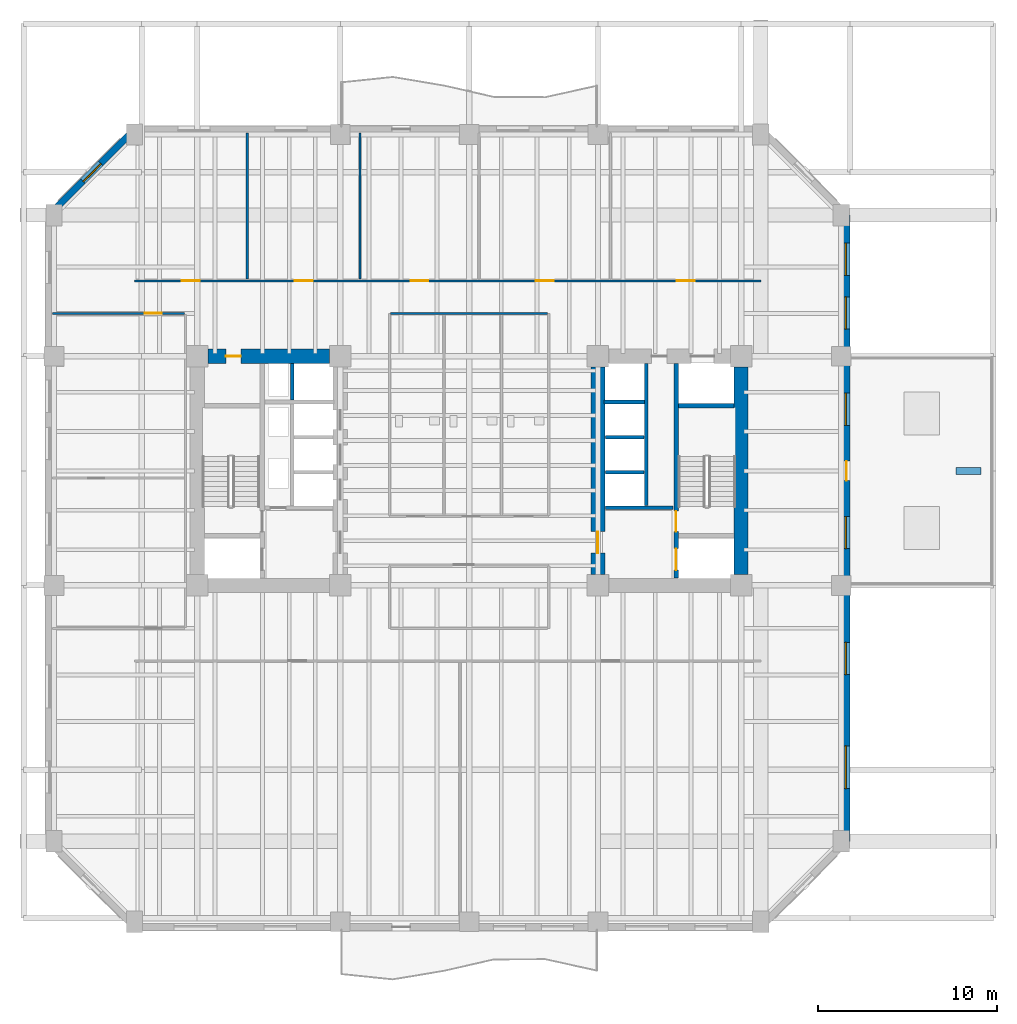
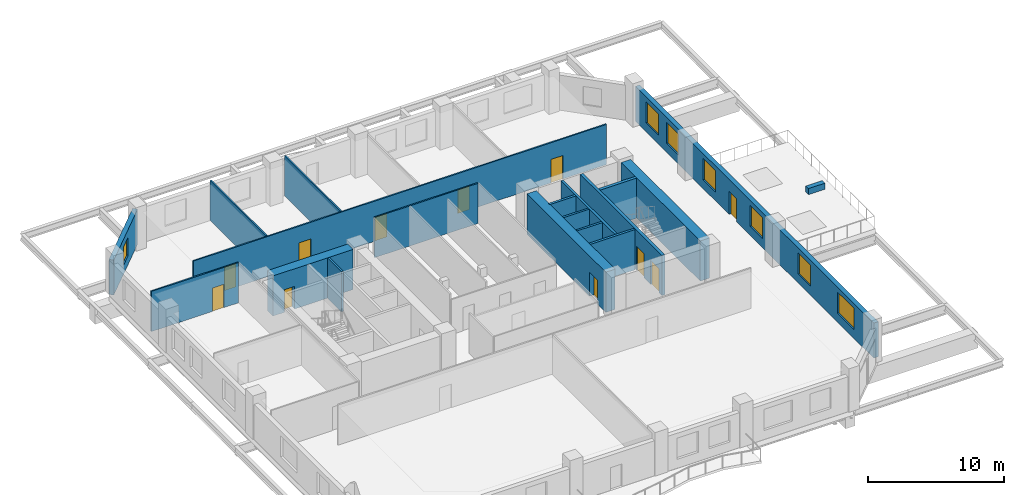
# One storey, part 5 of 11: 19 walls, 11 doors, 7 windows, 18 openings.
"""IFC4 building model written with IfcOpenShell, lengths in metres."""

from ifc_helpers import new_model, si_unit, direction, frame, frame_2d, origin, place, context, subcontext, project, spatial, rectangle, extrude, material, layer, layer_set, type_object, element, fill, save


model = new_model("IFC4")

# Units and contexts
model_context = context("Model", 3, precision=1e-05, world=origin(), true_north=direction((0.0, 1.0)))
body_context = subcontext(model_context, "Body", "Model", "MODEL_VIEW")
ifc_project = project(units=[si_unit("LENGTHUNIT", "METRE"), si_unit("AREAUNIT", "SQUARE_METRE"), si_unit("VOLUMEUNIT", "CUBIC_METRE"), si_unit("PLANEANGLEUNIT", "RADIAN"), si_unit("MASSUNIT", "GRAM", prefix="KILO")], contexts=[model_context])

# Site, building, storey
site_placement = place(None, origin())
site = spatial("IfcSite", under=ifc_project, at=site_placement, CompositionType="ELEMENT")
building_placement = place(site_placement, origin())
building = spatial("IfcBuilding", under=site, at=building_placement, Name="Kranthara Brick Stack", CompositionType="ELEMENT")
storey_placement = place(building_placement, frame((0.0, 0.0, 24.300048828125)))
storey = spatial("IfcBuildingStorey", under=building, at=storey_placement, Name="L05", CompositionType="ELEMENT", Elevation=24.300048828125)

# Wall, opening, window
ifc_material_1 = material(Name="Kiln-fired clay brick masonry M15", Category="masonry")
ifc_layer_1 = layer(ifc_material_1, 0.3798828125)
ifc_layer_set_1 = layer_set([ifc_layer_1], Name="Kiln-fired clay brick masonry M15")
wall_type_1 = type_object("IfcWallType", Name="WL-BRK-PIER-380", PredefinedType="STANDARD", material=ifc_layer_set_1)
wall_1_placement = place(storey_placement, frame((4.510009765625, 41.5, 0.0), z_axis=(0.0, 0.0, 1.0), x_axis=(0.707106781187, 0.707106781187, 0.0)))
wall_1 = element("IfcWall", 1, at=wall_1_placement, inside=storey, type_object=wall_type_1, Name="L05 Exterior Brick Facade Wall NW 1", PredefinedType="STANDARD", context=body_context, shape_type="SweptSolid", body=[
    extrude(rectangle(XDim=6.774169921875, YDim=0.3798828125, at=frame_2d((3.38720703125, 0.0))), origin(), (0.0, 0.0, 1.0), 3.135009765625),
])
opening_1_placement = place(wall_1_placement, frame((2.68701171875, 0.0, 0.800048828125)))
opening_1 = element("IfcOpeningElement", 2, at=opening_1_placement, cuts=wall_1, Name="Opening WN10", PredefinedType="OPENING", context=body_context, shape_type="SweptSolid", body=[
    extrude(rectangle(XDim=1.39990234375, YDim=1.64990234375, at=frame_2d((0.699951171875, 0.824951171875))), frame((0.0, 0.199951171875, 0.0), z_axis=(0.0, -1.0, 0.0), x_axis=(1.0, 0.0, 0.0)), (0.0, 0.0, 1.0), 0.39990234375),
])
ifc_material_2 = material(Name="Double-glazed low-E solar control glass", Category="glass")
window_type_1 = type_object("IfcWindowType", Name="WN-CHM-1400x1750", PartitioningType="SINGLE_PANEL", PredefinedType="WINDOW", material=ifc_material_2)
window_1_placement = place(opening_1_placement, origin())
window_1 = element("IfcWindow", 3, at=window_1_placement, inside=storey, type_object=window_type_1, Name="L05 NW Chamfer Corner Window", OverallHeight=1.64990234375, OverallWidth=1.39990234375, PartitioningType="SINGLE_PANEL", PredefinedType="WINDOW", context=body_context, shape_type="SweptSolid", body=[
    extrude(rectangle(XDim=1.39990234375, YDim=1.64990234375, at=frame_2d((0.699951171875, 0.824951171875))), frame((0.0, -0.010009765625, 0.0), z_axis=(0.0, -1.0, 0.0), x_axis=(1.0, 0.0, 0.0)), (0.0, 0.0, 1.0), 0.06005859375),
])
fill(opening_1, window_1)

# Wall, openings, door, windows
wall_2_placement = place(storey_placement, frame((49.090087890625, 41.5, 0.0), z_axis=(0.0, 0.0, 1.0), x_axis=(0.0, -1.0, 0.0)))
wall_2 = element("IfcWall", 4, at=wall_2_placement, inside=storey, type_object=wall_type_1, Name="L05 Exterior Brick Facade Wall EAST 1", PredefinedType="STANDARD", context=body_context, shape_type="SweptSolid", body=[
    extrude(rectangle(XDim=35.0, YDim=0.3798828125, at=frame_2d((17.5, 0.0))), origin(), (0.0, 0.0, 1.0), 3.135009765625),
])
opening_2_placement = place(wall_2_placement, frame((13.75, 0.0, 0.0)))
opening_2 = element("IfcOpeningElement", 5, at=opening_2_placement, cuts=wall_2, Name="Opening D02", PredefinedType="OPENING", context=body_context, shape_type="SweptSolid", body=[
    extrude(rectangle(XDim=1.10009765625, YDim=2.050048828125, at=frame_2d((0.550048828125, 1.02490234375))), frame((0.0, 0.199951171875, 0.0), z_axis=(0.0, -1.0, 0.0), x_axis=(1.0, 0.0, 0.0)), (0.0, 0.0, 1.0), 0.39990234375),
])
opening_3_placement = place(wall_2_placement, frame((1.574951171875, 0.0, 0.800048828125)))
opening_3 = element("IfcOpeningElement", 6, at=opening_3_placement, cuts=wall_2, Name="Opening WN01", PredefinedType="OPENING", context=body_context, shape_type="SweptSolid", body=[
    extrude(rectangle(XDim=1.800048828125, YDim=1.89990234375, at=frame_2d((0.89990234375, 0.949951171875))), frame((0.0, 0.199951171875, 0.0), z_axis=(0.0, -1.0, 0.0), x_axis=(1.0, 0.0, 0.0)), (0.0, 0.0, 1.0), 0.39990234375),
])
opening_4_placement = place(wall_2_placement, frame((4.574951171875, 0.0, 0.800048828125)))
opening_4 = element("IfcOpeningElement", 7, at=opening_4_placement, cuts=wall_2, Name="Opening WN01", PredefinedType="OPENING", context=body_context, shape_type="SweptSolid", body=[
    extrude(rectangle(XDim=1.800048828125, YDim=1.89990234375, at=frame_2d((0.89990234375, 0.949951171875))), frame((0.0, 0.199951171875, 0.0), z_axis=(0.0, -1.0, 0.0), x_axis=(1.0, 0.0, 0.0)), (0.0, 0.0, 1.0), 0.39990234375),
])
opening_5_placement = place(wall_2_placement, frame((9.949951171875, 0.0, 0.800048828125)))
opening_5 = element("IfcOpeningElement", 8, at=opening_5_placement, cuts=wall_2, Name="Opening WN01", PredefinedType="OPENING", context=body_context, shape_type="SweptSolid", body=[
    extrude(rectangle(XDim=1.800048828125, YDim=1.89990234375, at=frame_2d((0.89990234375, 0.949951171875))), frame((0.0, 0.199951171875, 0.0), z_axis=(0.0, -1.0, 0.0), x_axis=(1.0, 0.0, 0.0)), (0.0, 0.0, 1.0), 0.39990234375),
])
opening_6_placement = place(wall_2_placement, frame((16.85009765625, 0.0, 0.800048828125)))
opening_6 = element("IfcOpeningElement", 9, at=opening_6_placement, cuts=wall_2, Name="Opening WN01", PredefinedType="OPENING", context=body_context, shape_type="SweptSolid", body=[
    extrude(rectangle(XDim=1.800048828125, YDim=1.89990234375, at=frame_2d((0.89990234375, 0.949951171875))), frame((0.0, 0.199951171875, 0.0), z_axis=(0.0, -1.0, 0.0), x_axis=(1.0, 0.0, 0.0)), (0.0, 0.0, 1.0), 0.39990234375),
])
opening_7_placement = place(wall_2_placement, frame((23.888916015625, 0.0, 0.800048828125)))
opening_7 = element("IfcOpeningElement", 10, at=opening_7_placement, cuts=wall_2, Name="Opening WN01", PredefinedType="OPENING", context=body_context, shape_type="SweptSolid", body=[
    extrude(rectangle(XDim=1.800048828125, YDim=1.89990234375, at=frame_2d((0.89990234375, 0.949951171875))), frame((0.0, 0.199951171875, 0.0), z_axis=(0.0, -1.0, 0.0), x_axis=(1.0, 0.0, 0.0)), (0.0, 0.0, 1.0), 0.39990234375),
])
opening_8_placement = place(wall_2_placement, frame((29.660888671875, 0.0, 0.800048828125)))
opening_8 = element("IfcOpeningElement", 11, at=opening_8_placement, cuts=wall_2, Name="Opening WN02", PredefinedType="OPENING", context=body_context, shape_type="SweptSolid", body=[
    extrude(rectangle(XDim=2.39990234375, YDim=1.89990234375, at=frame_2d((1.199951171875, 0.949951171875))), frame((0.0, 0.199951171875, 0.0), z_axis=(0.0, -1.0, 0.0), x_axis=(1.0, 0.0, 0.0)), (0.0, 0.0, 1.0), 0.39990234375),
])
ifc_material_3 = material(Name="Bronze anodised aluminium and laminated glass", Category="aluminium")
door_type_1 = type_object("IfcDoorType", Name="DR-TERR-1100", OperationType="NOTDEFINED", PredefinedType="DOOR", material=ifc_material_3)
door_1_placement = place(opening_2_placement, origin())
door_1 = element("IfcDoor", 12, at=door_1_placement, inside=storey, type_object=door_type_1, Name="L05 Planted Sky Garden Terrace Door", OperationType="SINGLE_SWING_LEFT", OverallHeight=2.050048828125, OverallWidth=1.10009765625, PredefinedType="DOOR", context=body_context, shape_type="SweptSolid", body=[
    extrude(rectangle(XDim=1.10009765625, YDim=2.050048828125, at=frame_2d((0.550048828125, 1.02490234375))), frame((0.0, 0.02490234375, 0.0), z_axis=(0.0, -1.0, 0.0), x_axis=(1.0, 0.0, 0.0)), (0.0, 0.0, 1.0), 0.050048828125),
])
fill(opening_2, door_1)
ifc_material_4 = material(Name="Double-glazed low-E solar control glass", Category="glass")
window_type_2 = type_object("IfcWindowType", Name="WN-OFF-1800x2000", PartitioningType="SINGLE_PANEL", PredefinedType="WINDOW", material=ifc_material_4)
window_2_placement = place(opening_3_placement, origin())
window_2 = element("IfcWindow", 13, at=window_2_placement, inside=storey, type_object=window_type_2, Name="L05 East Deep-Set Brick Window 01", OverallHeight=1.89990234375, OverallWidth=1.800048828125, PartitioningType="SINGLE_PANEL", PredefinedType="WINDOW", context=body_context, shape_type="SweptSolid", body=[
    extrude(rectangle(XDim=1.800048828125, YDim=1.89990234375, at=frame_2d((0.89990234375, 0.949951171875))), frame((0.0, -0.010009765625, 0.0), z_axis=(0.0, -1.0, 0.0), x_axis=(1.0, 0.0, 0.0)), (0.0, 0.0, 1.0), 0.06005859375),
])
fill(opening_3, window_2)
window_3_placement = place(opening_4_placement, origin())
window_3 = element("IfcWindow", 14, at=window_3_placement, inside=storey, type_object=window_type_2, Name="L05 East Deep-Set Brick Window 02", OverallHeight=1.89990234375, OverallWidth=1.800048828125, PartitioningType="SINGLE_PANEL", PredefinedType="WINDOW", context=body_context, shape_type="SweptSolid", body=[
    extrude(rectangle(XDim=1.800048828125, YDim=1.89990234375, at=frame_2d((0.89990234375, 0.949951171875))), frame((0.0, -0.010009765625, 0.0), z_axis=(0.0, -1.0, 0.0), x_axis=(1.0, 0.0, 0.0)), (0.0, 0.0, 1.0), 0.06005859375),
])
fill(opening_4, window_3)
window_4_placement = place(opening_5_placement, origin())
window_4 = element("IfcWindow", 15, at=window_4_placement, inside=storey, type_object=window_type_2, Name="L05 East Deep-Set Brick Window 03", OverallHeight=1.89990234375, OverallWidth=1.800048828125, PartitioningType="SINGLE_PANEL", PredefinedType="WINDOW", context=body_context, shape_type="SweptSolid", body=[
    extrude(rectangle(XDim=1.800048828125, YDim=1.89990234375, at=frame_2d((0.89990234375, 0.949951171875))), frame((0.0, -0.010009765625, 0.0), z_axis=(0.0, -1.0, 0.0), x_axis=(1.0, 0.0, 0.0)), (0.0, 0.0, 1.0), 0.06005859375),
])
fill(opening_5, window_4)
window_5_placement = place(opening_6_placement, origin())
window_5 = element("IfcWindow", 16, at=window_5_placement, inside=storey, type_object=window_type_2, Name="L05 East Deep-Set Brick Window 04", OverallHeight=1.89990234375, OverallWidth=1.800048828125, PartitioningType="SINGLE_PANEL", PredefinedType="WINDOW", context=body_context, shape_type="SweptSolid", body=[
    extrude(rectangle(XDim=1.800048828125, YDim=1.89990234375, at=frame_2d((0.89990234375, 0.949951171875))), frame((0.0, -0.010009765625, 0.0), z_axis=(0.0, -1.0, 0.0), x_axis=(1.0, 0.0, 0.0)), (0.0, 0.0, 1.0), 0.06005859375),
])
fill(opening_6, window_5)
window_6_placement = place(opening_7_placement, origin())
window_6 = element("IfcWindow", 17, at=window_6_placement, inside=storey, type_object=window_type_2, Name="L05 East Deep-Set Brick Window 05", OverallHeight=1.89990234375, OverallWidth=1.800048828125, PartitioningType="SINGLE_PANEL", PredefinedType="WINDOW", context=body_context, shape_type="SweptSolid", body=[
    extrude(rectangle(XDim=1.800048828125, YDim=1.89990234375, at=frame_2d((0.89990234375, 0.949951171875))), frame((0.0, -0.010009765625, 0.0), z_axis=(0.0, -1.0, 0.0), x_axis=(1.0, 0.0, 0.0)), (0.0, 0.0, 1.0), 0.06005859375),
])
fill(opening_7, window_6)
ifc_material_5 = material(Name="Double-glazed low-E solar control glass", Category="glass")
window_type_3 = type_object("IfcWindowType", Name="WN-OFF-2400x2000", PartitioningType="DOUBLE_PANEL_VERTICAL", PredefinedType="WINDOW", material=ifc_material_5)
window_7_placement = place(opening_8_placement, origin())
window_7 = element("IfcWindow", 18, at=window_7_placement, inside=storey, type_object=window_type_3, Name="L05 East Deep-Set Brick Window 06", OverallHeight=1.89990234375, OverallWidth=2.39990234375, PartitioningType="SINGLE_PANEL", PredefinedType="WINDOW", context=body_context, shape_type="SweptSolid", body=[
    extrude(rectangle(XDim=2.39990234375, YDim=1.89990234375, at=frame_2d((1.199951171875, 0.949951171875))), frame((0.0, -0.010009765625, 0.0), z_axis=(0.0, -1.0, 0.0), x_axis=(1.0, 0.0, 0.0)), (0.0, 0.0, 1.0), 0.06005859375),
])
fill(opening_8, window_7)

# Wall, openings, doors
ifc_material_6 = material(Name="Concrete C50/60", Category="concrete")
ifc_layer_2 = layer(ifc_material_6, 0.25)
ifc_layer_set_2 = layer_set([ifc_layer_2], Name="Concrete C50/60")
wall_type_2 = type_object("IfcWallType", Name="WL-CORE-250", PredefinedType="SHEAR", material=ifc_layer_set_2)
wall_3_placement = place(storey_placement, frame((39.56494140625, 21.2099609375, 0.0), z_axis=(0.0, 0.0, 1.0), x_axis=(0.0, 1.0, 0.0)))
wall_3 = element("IfcWall", 19, at=wall_3_placement, inside=storey, type_object=wall_type_2, Name="L05 East Core Stair Bearing Spine Wall", PredefinedType="SHEAR", context=body_context, shape_type="SweptSolid", body=[
    extrude(rectangle(XDim=11.97998046875, YDim=0.25, at=frame_2d((5.989990234375, 0.0))), origin(), (0.0, 0.0, 1.0), 3.599853515625),
])
opening_9_placement = place(wall_3_placement, frame((0.43994140625, 0.0, 0.0)))
opening_9 = element("IfcOpeningElement", 20, at=opening_9_placement, cuts=wall_3, Name="Opening LD01", PredefinedType="OPENING", context=body_context, shape_type="SweptSolid", body=[
    extrude(rectangle(XDim=1.199951171875, YDim=2.14990234375, at=frame_2d((0.60009765625, 1.074951171875))), frame((0.0, 0.135009765625, 0.0), z_axis=(0.0, -1.0, 0.0), x_axis=(1.0, 0.0, 0.0)), (0.0, 0.0, 1.0), 0.27001953125),
])
opening_10_placement = place(wall_3_placement, frame((2.590087890625, 0.0, 0.0)))
opening_10 = element("IfcOpeningElement", 21, at=opening_10_placement, cuts=wall_3, Name="Opening D05", PredefinedType="OPENING", context=body_context, shape_type="SweptSolid", body=[
    extrude(rectangle(XDim=1.14990234375, YDim=2.14990234375, at=frame_2d((0.574951171875, 1.074951171875))), frame((0.0, 0.135009765625, 0.0), z_axis=(0.0, -1.0, 0.0), x_axis=(1.0, 0.0, 0.0)), (0.0, 0.0, 1.0), 0.27001953125),
])
ifc_material_7 = material(Name="Stainless steel sliding landing door", Category="steel")
door_type_2 = type_object("IfcDoorType", Name="DR-LD-FF1200", OperationType="DOUBLE_DOOR_SLIDING", PredefinedType="DOOR", material=ifc_material_7)
door_2_placement = place(opening_9_placement, origin())
door_2 = element("IfcDoor", 22, at=door_2_placement, inside=storey, type_object=door_type_2, Name="L05 Firefighting Lift FF-02 Landing Door", OperationType="DOUBLE_DOOR_SLIDING", OverallHeight=2.14990234375, OverallWidth=1.199951171875, PredefinedType="DOOR", context=body_context, shape_type="SweptSolid", body=[
    extrude(rectangle(XDim=1.199951171875, YDim=2.14990234375, at=frame_2d((0.60009765625, 1.074951171875))), frame((0.0, 0.02490234375, 0.0), z_axis=(0.0, -1.0, 0.0), x_axis=(1.0, 0.0, 0.0)), (0.0, 0.0, 1.0), 0.050048828125),
])
fill(opening_9, door_2)
ifc_material_8 = material(Name="Solid-core hardwood timber leaf in steel frame", Category="steel")
door_type_3 = type_object("IfcDoorType", Name="DR-ST-1150", OperationType="NOTDEFINED", PredefinedType="DOOR", material=ifc_material_8)
door_3_placement = place(opening_10_placement, origin())
door_3 = element("IfcDoor", 23, at=door_3_placement, inside=storey, type_object=door_type_3, Name="L05 Exit Stair ST02 Door", OperationType="SINGLE_SWING_LEFT", OverallHeight=2.14990234375, OverallWidth=1.14990234375, PredefinedType="DOOR", context=body_context, shape_type="SweptSolid", body=[
    extrude(rectangle(XDim=1.14990234375, YDim=2.14990234375, at=frame_2d((0.574951171875, 1.074951171875))), frame((0.0, 0.02490234375, 0.0), z_axis=(0.0, -1.0, 0.0), x_axis=(1.0, 0.0, 0.0)), (0.0, 0.0, 1.0), 0.050048828125),
])
fill(opening_10, door_3)

# Wall
wall_4_placement = place(storey_placement, frame((39.68994140625, 30.830078125, 0.0), z_axis=(0.0, 0.0, 1.0), x_axis=(1.0, 0.0, 0.0)))
element("IfcWall", 24, at=wall_4_placement, inside=storey, type_object=wall_type_2, Name="L05 East Stairwell Bearing Wall EST", PredefinedType="SHEAR", context=body_context, shape_type="SweptSolid", body=[
    extrude(rectangle(XDim=3.10009765625, YDim=0.25, at=frame_2d((1.550048828125, 0.0))), origin(), (0.0, 0.0, 1.0), 3.599853515625),
])

# Wall, opening, door
ifc_material_9 = material(Name="Concrete C70/85", Category="concrete")
ifc_layer_3 = layer(ifc_material_9, 0.800048828125)
ifc_layer_set_3 = layer_set([ifc_layer_3], Name="Concrete C70/85")
wall_type_3 = type_object("IfcWallType", Name="WL-CORE-800", PredefinedType="SHEAR", material=ifc_layer_set_3)
wall_5_placement = place(storey_placement, frame((13.405029296875, 33.60009765625, 0.0), z_axis=(0.0, 0.0, 1.0), x_axis=(1.0, 0.0, 0.0)))
wall_5 = element("IfcWall", 25, at=wall_5_placement, inside=storey, type_object=wall_type_3, Name="L05 West Core Shear Wall North", PredefinedType="SHEAR", context=body_context, shape_type="SweptSolid", body=[
    extrude(rectangle(XDim=6.7900390625, YDim=0.800048828125, at=frame_2d((3.39501953125, 0.0))), origin(), (0.0, 0.0, 1.0), 3.599853515625),
])
opening_11_placement = place(wall_5_placement, frame((0.9951171875, 0.0, 0.0)))
opening_11 = element("IfcOpeningElement", 26, at=opening_11_placement, cuts=wall_5, Name="Opening D10", PredefinedType="OPENING", context=body_context, shape_type="SweptSolid", body=[
    extrude(rectangle(XDim=0.85009765625, YDim=2.02001953125, at=frame_2d((0.425048828125, 1.010009765625))), frame((0.0, 0.409912109375, 0.0), z_axis=(0.0, -1.0, 0.0), x_axis=(1.0, 0.0, 0.0)), (0.0, 0.0, 1.0), 0.820068359375),
])
ifc_material_10 = material(Name="Solid-core hardwood timber leaf in steel frame", Category="steel")
door_type_4 = type_object("IfcDoorType", Name="DR-RSR-850", OperationType="NOTDEFINED", PredefinedType="DOOR", material=ifc_material_10)
door_4_placement = place(opening_11_placement, origin())
door_4 = element("IfcDoor", 27, at=door_4_placement, inside=storey, type_object=door_type_4, Name="L05 West Core Service Door 1", OperationType="SINGLE_SWING_LEFT", OverallHeight=2.02001953125, OverallWidth=0.85009765625, PredefinedType="DOOR", context=body_context, shape_type="SweptSolid", body=[
    extrude(rectangle(XDim=0.85009765625, YDim=2.02001953125, at=frame_2d((0.425048828125, 1.010009765625))), frame((0.0, 0.02490234375, 0.0), z_axis=(0.0, -1.0, 0.0), x_axis=(1.0, 0.0, 0.0)), (0.0, 0.0, 1.0), 0.050048828125),
])
fill(opening_11, door_4)

# Wall
wall_6_placement = place(storey_placement, frame((43.199951171875, 21.405029296875, 0.0), z_axis=(0.0, 0.0, 1.0), x_axis=(0.0, 1.0, 0.0)))
element("IfcWall", 28, at=wall_6_placement, inside=storey, type_object=wall_type_3, Name="L05 East Core Shear Wall East", PredefinedType="SHEAR", context=body_context, shape_type="SweptSolid", body=[
    extrude(rectangle(XDim=11.590087890625, YDim=0.800048828125, at=frame_2d((5.794921875, 0.0))), origin(), (0.0, 0.0, 1.0), 3.599853515625),
])

# Wall, opening, door
wall_7_placement = place(storey_placement, frame((35.199951171875, 21.405029296875, 0.0), z_axis=(0.0, 0.0, 1.0), x_axis=(0.0, 1.0, 0.0)))
wall_7 = element("IfcWall", 29, at=wall_7_placement, inside=storey, type_object=wall_type_3, Name="L05 East Core Shear Wall West", PredefinedType="SHEAR", context=body_context, shape_type="SweptSolid", body=[
    extrude(rectangle(XDim=11.590087890625, YDim=0.800048828125, at=frame_2d((5.794921875, 0.0))), origin(), (0.0, 0.0, 1.0), 3.599853515625),
])
opening_12_placement = place(wall_7_placement, frame((1.195068359375, 0.0, 0.0)))
opening_12 = element("IfcOpeningElement", 30, at=opening_12_placement, cuts=wall_7, Name="Opening D06", PredefinedType="OPENING", context=body_context, shape_type="SweptSolid", body=[
    extrude(rectangle(XDim=1.199951171875, YDim=2.14990234375, at=frame_2d((0.60009765625, 1.074951171875))), frame((0.0, 0.409912109375, 0.0), z_axis=(0.0, -1.0, 0.0), x_axis=(1.0, 0.0, 0.0)), (0.0, 0.0, 1.0), 0.820068359375),
])
ifc_material_11 = material(Name="Solid-core hardwood timber leaf in steel frame", Category="steel")
door_type_5 = type_object("IfcDoorType", Name="DR-FFL-1200", OperationType="NOTDEFINED", PredefinedType="DOOR", material=ifc_material_11)
door_5_placement = place(opening_12_placement, origin())
door_5 = element("IfcDoor", 31, at=door_5_placement, inside=storey, type_object=door_type_5, Name="L05 East Firefighting Lobby Door", OperationType="SINGLE_SWING_RIGHT", OverallHeight=2.14990234375, OverallWidth=1.199951171875, PredefinedType="DOOR", context=body_context, shape_type="SweptSolid", body=[
    extrude(rectangle(XDim=1.199951171875, YDim=2.14990234375, at=frame_2d((0.60009765625, 1.074951171875))), frame((0.0, 0.02490234375, 0.0), z_axis=(0.0, -1.0, 0.0), x_axis=(1.0, 0.0, 0.0)), (0.0, 0.0, 1.0), 0.050048828125),
])
fill(opening_12, door_5)

# Wall
ifc_material_12 = material(Name="Acoustic gypsum plasterboard partition", Category="other")
ifc_layer_4 = layer(ifc_material_12, 0.1201171875)
ifc_layer_set_4 = layer_set([ifc_layer_4], Name="Acoustic gypsum plasterboard partition")
wall_type_4 = type_object("IfcWallType", Name="WL-PART-120", PredefinedType="PARTITIONING", material=ifc_layer_set_4)
wall_8_placement = place(storey_placement, frame((23.614990234375, 36.0, 0.0), z_axis=(0.0, 0.0, 1.0), x_axis=(1.0, 0.0, 0.0)))
element("IfcWall", 32, at=wall_8_placement, inside=storey, type_object=wall_type_4, Name="L05 Interior Partition 006", PredefinedType="PARTITIONING", context=body_context, shape_type="SweptSolid", body=[
    extrude(rectangle(XDim=8.77001953125, YDim=0.1201171875, at=frame_2d((4.385009765625, 0.0))), origin(), (0.0, 0.0, 1.0), 3.599853515625),
])

# Wall, openings, doors
wall_9_placement = place(storey_placement, frame((9.300048828125, 37.820068359375, 0.0), z_axis=(0.0, 0.0, 1.0), x_axis=(1.0, 0.0, 0.0)))
wall_9 = element("IfcWall", 33, at=wall_9_placement, inside=storey, type_object=wall_type_4, Name="L05 Interior Partition 013", PredefinedType="PARTITIONING", context=body_context, shape_type="SweptSolid", body=[
    extrude(rectangle(XDim=35.0, YDim=0.1201171875, at=frame_2d((17.5, 0.0))), origin(), (0.0, 0.0, 1.0), 3.599853515625),
])
opening_13_placement = place(wall_9_placement, frame((2.64990234375, 0.0, 0.0)))
opening_13 = element("IfcOpeningElement", 34, at=opening_13_placement, cuts=wall_9, Name="Opening D13", PredefinedType="OPENING", context=body_context, shape_type="SweptSolid", body=[
    extrude(rectangle(XDim=1.0, YDim=2.10009765625, at=frame_2d((0.5, 1.050048828125))), frame((0.0, 0.070068359375, 0.0), z_axis=(0.0, -1.0, 0.0), x_axis=(1.0, 0.0, 0.0)), (0.0, 0.0, 1.0), 0.14013671875),
])
opening_14_placement = place(wall_9_placement, frame((8.949951171875, 0.0, 0.0)))
opening_14 = element("IfcOpeningElement", 35, at=opening_14_placement, cuts=wall_9, Name="Opening D13", PredefinedType="OPENING", context=body_context, shape_type="SweptSolid", body=[
    extrude(rectangle(XDim=1.0, YDim=2.10009765625, at=frame_2d((0.5, 1.050048828125))), frame((0.0, 0.070068359375, 0.0), z_axis=(0.0, -1.0, 0.0), x_axis=(1.0, 0.0, 0.0)), (0.0, 0.0, 1.0), 0.14013671875),
])
opening_15_placement = place(wall_9_placement, frame((15.425048828125, 0.0, 0.0)))
opening_15 = element("IfcOpeningElement", 36, at=opening_15_placement, cuts=wall_9, Name="Opening D13", PredefinedType="OPENING", context=body_context, shape_type="SweptSolid", body=[
    extrude(rectangle(XDim=1.0, YDim=2.10009765625, at=frame_2d((0.5, 1.050048828125))), frame((0.0, 0.070068359375, 0.0), z_axis=(0.0, -1.0, 0.0), x_axis=(1.0, 0.0, 0.0)), (0.0, 0.0, 1.0), 0.14013671875),
])
opening_16_placement = place(wall_9_placement, frame((22.425048828125, 0.0, 0.0)))
opening_16 = element("IfcOpeningElement", 37, at=opening_16_placement, cuts=wall_9, Name="Opening D13", PredefinedType="OPENING", context=body_context, shape_type="SweptSolid", body=[
    extrude(rectangle(XDim=1.0, YDim=2.10009765625, at=frame_2d((0.5, 1.050048828125))), frame((0.0, 0.070068359375, 0.0), z_axis=(0.0, -1.0, 0.0), x_axis=(1.0, 0.0, 0.0)), (0.0, 0.0, 1.0), 0.14013671875),
])
opening_17_placement = place(wall_9_placement, frame((30.300048828125, 0.0, 0.0)))
opening_17 = element("IfcOpeningElement", 38, at=opening_17_placement, cuts=wall_9, Name="Opening D13", PredefinedType="OPENING", context=body_context, shape_type="SweptSolid", body=[
    extrude(rectangle(XDim=1.0, YDim=2.10009765625, at=frame_2d((0.5, 1.050048828125))), frame((0.0, 0.070068359375, 0.0), z_axis=(0.0, -1.0, 0.0), x_axis=(1.0, 0.0, 0.0)), (0.0, 0.0, 1.0), 0.14013671875),
])
ifc_material_13 = material(Name="Solid-core hardwood timber leaf in steel frame", Category="steel")
door_type_6 = type_object("IfcDoorType", Name="DR-INT-1000", OperationType="NOTDEFINED", PredefinedType="DOOR", material=ifc_material_13)
door_6_placement = place(opening_13_placement, origin())
door_6 = element("IfcDoor", 39, at=door_6_placement, inside=storey, type_object=door_type_6, Name="L05 Executive Cellular Office 07", OperationType="SINGLE_SWING_LEFT", OverallHeight=2.10009765625, OverallWidth=1.0, PredefinedType="DOOR", context=body_context, shape_type="SweptSolid", body=[
    extrude(rectangle(XDim=1.0, YDim=2.10009765625, at=frame_2d((0.5, 1.050048828125))), frame((0.0, 0.02490234375, 0.0), z_axis=(0.0, -1.0, 0.0), x_axis=(1.0, 0.0, 0.0)), (0.0, 0.0, 1.0), 0.050048828125),
])
fill(opening_13, door_6)
door_7_placement = place(opening_14_placement, origin())
door_7 = element("IfcDoor", 40, at=door_7_placement, inside=storey, type_object=door_type_6, Name="L05 Executive Cellular Office 08", OperationType="SINGLE_SWING_RIGHT", OverallHeight=2.10009765625, OverallWidth=1.0, PredefinedType="DOOR", context=body_context, shape_type="SweptSolid", body=[
    extrude(rectangle(XDim=1.0, YDim=2.10009765625, at=frame_2d((0.5, 1.050048828125))), frame((0.0, 0.02490234375, 0.0), z_axis=(0.0, -1.0, 0.0), x_axis=(1.0, 0.0, 0.0)), (0.0, 0.0, 1.0), 0.050048828125),
])
fill(opening_14, door_7)
door_8_placement = place(opening_15_placement, origin())
door_8 = element("IfcDoor", 41, at=door_8_placement, inside=storey, type_object=door_type_6, Name="L05 Executive Cellular Office 09", OperationType="SINGLE_SWING_LEFT", OverallHeight=2.10009765625, OverallWidth=1.0, PredefinedType="DOOR", context=body_context, shape_type="SweptSolid", body=[
    extrude(rectangle(XDim=1.0, YDim=2.10009765625, at=frame_2d((0.5, 1.050048828125))), frame((0.0, 0.02490234375, 0.0), z_axis=(0.0, -1.0, 0.0), x_axis=(1.0, 0.0, 0.0)), (0.0, 0.0, 1.0), 0.050048828125),
])
fill(opening_15, door_8)
door_9_placement = place(opening_16_placement, origin())
door_9 = element("IfcDoor", 42, at=door_9_placement, inside=storey, type_object=door_type_6, Name="L05 Meeting Room 10", OperationType="SINGLE_SWING_RIGHT", OverallHeight=2.10009765625, OverallWidth=1.0, PredefinedType="DOOR", context=body_context, shape_type="SweptSolid", body=[
    extrude(rectangle(XDim=1.0, YDim=2.10009765625, at=frame_2d((0.5, 1.050048828125))), frame((0.0, 0.02490234375, 0.0), z_axis=(0.0, -1.0, 0.0), x_axis=(1.0, 0.0, 0.0)), (0.0, 0.0, 1.0), 0.050048828125),
])
fill(opening_16, door_9)
door_10_placement = place(opening_17_placement, origin())
door_10 = element("IfcDoor", 43, at=door_10_placement, inside=storey, type_object=door_type_6, Name="L05 Staff Pantry 11", OperationType="SINGLE_SWING_LEFT", OverallHeight=2.10009765625, OverallWidth=1.0, PredefinedType="DOOR", context=body_context, shape_type="SweptSolid", body=[
    extrude(rectangle(XDim=1.0, YDim=2.10009765625, at=frame_2d((0.5, 1.050048828125))), frame((0.0, 0.02490234375, 0.0), z_axis=(0.0, -1.0, 0.0), x_axis=(1.0, 0.0, 0.0)), (0.0, 0.0, 1.0), 0.050048828125),
])
fill(opening_17, door_10)

# Walls
for number, where, z_axis, x_axis, name in (
    (44, (15.60009765625, 37.919921875, 0.0), (0.0, 0.0, 1.0), (0.0, 1.0, 0.0), "L05 Interior Partition 014"),
    (45, (21.89990234375, 37.919921875, 0.0), (0.0, 0.0, 1.0), (0.0, 1.0, 0.0), "L05 Interior Partition 015"),
):
    element("IfcWall", number, at=place(storey_placement, frame(where, z_axis=z_axis, x_axis=x_axis)), inside=storey, type_object=wall_type_4, Name=name, PredefinedType="PARTITIONING", context=body_context, shape_type="SweptSolid", body=[
        extrude(rectangle(XDim=8.175048828125, YDim=0.1201171875, at=frame_2d((4.08740234375, 0.0))), origin(), (0.0, 0.0, 1.0), 3.599853515625),
    ])

# Wall, opening, door
wall_10_placement = place(storey_placement, frame((4.705078125, 36.0, 0.0), z_axis=(0.0, 0.0, 1.0), x_axis=(1.0, 0.0, 0.0)))
wall_10 = element("IfcWall", 46, at=wall_10_placement, inside=storey, type_object=wall_type_4, Name="L05 Interior Partition 020", PredefinedType="PARTITIONING", context=body_context, shape_type="SweptSolid", body=[
    extrude(rectangle(XDim=7.3798828125, YDim=0.1201171875, at=frame_2d((3.68994140625, 0.0))), origin(), (0.0, 0.0, 1.0), 3.599853515625),
])
opening_18_placement = place(wall_10_placement, frame((5.179931640625, 0.0, 0.0)))
opening_18 = element("IfcOpeningElement", 47, at=opening_18_placement, cuts=wall_10, Name="Opening D14", PredefinedType="OPENING", context=body_context, shape_type="SweptSolid", body=[
    extrude(rectangle(XDim=0.949951171875, YDim=2.10009765625, at=frame_2d((0.47509765625, 1.050048828125))), frame((0.0, 0.070068359375, 0.0), z_axis=(0.0, -1.0, 0.0), x_axis=(1.0, 0.0, 0.0)), (0.0, 0.0, 1.0), 0.14013671875),
])
ifc_material_14 = material(Name="Solid-core hardwood timber leaf in steel frame", Category="steel")
door_type_7 = type_object("IfcDoorType", Name="DR-INT-950", OperationType="NOTDEFINED", PredefinedType="DOOR", material=ifc_material_14)
door_11_placement = place(opening_18_placement, origin())
door_11 = element("IfcDoor", 48, at=door_11_placement, inside=storey, type_object=door_type_7, Name="L05 West North Office 14", OperationType="SINGLE_SWING_RIGHT", OverallHeight=2.10009765625, OverallWidth=0.949951171875, PredefinedType="DOOR", context=body_context, shape_type="SweptSolid", body=[
    extrude(rectangle(XDim=0.949951171875, YDim=2.10009765625, at=frame_2d((0.47509765625, 1.050048828125))), frame((0.0, 0.02490234375, 0.0), z_axis=(0.0, -1.0, 0.0), x_axis=(1.0, 0.0, 0.0)), (0.0, 0.0, 1.0), 0.050048828125),
])
fill(opening_18, door_11)

# Walls
ifc_material_15 = material(Name="Gypsum plasterboard on acoustic twin stud", Category="other")
ifc_layer_5 = layer(ifc_material_15, 0.179931640625)
ifc_layer_set_5 = layer_set([ifc_layer_5], Name="Gypsum plasterboard on acoustic twin stud")
wall_type_5 = type_object("IfcWallType", Name="WL-PART-180", PredefinedType="PARTITIONING", material=ifc_layer_set_5)
wall_11_placement = place(storey_placement, frame((18.1201171875, 31.169921875, 0.0), z_axis=(0.0, 0.0, 1.0), x_axis=(0.0, 1.0, 0.0)))
element("IfcWall", 49, at=wall_11_placement, inside=storey, type_object=wall_type_5, Name="L05 West Hoistway Wall WBK7", PredefinedType="PARTITIONING", context=body_context, shape_type="SweptSolid", body=[
    extrude(rectangle(XDim=2.02001953125, YDim=0.179931640625, at=frame_2d((1.010009765625, 0.0))), origin(), (0.0, 0.0, 1.0), 3.599853515625),
])
for number, where, z_axis, x_axis, name in (
    (50, (35.610107421875, 27.1201171875, 0.0), (0.0, 0.0, 1.0), (1.0, 0.0, 0.0), "L05 East Hoistway Wall EH1"),
    (51, (35.610107421875, 29.080078125, 0.0), (0.0, 0.0, 1.0), (1.0, 0.0, 0.0), "L05 East Hoistway Wall EH2"),
):
    element("IfcWall", number, at=place(storey_placement, frame(where, z_axis=z_axis, x_axis=x_axis)), inside=storey, type_object=wall_type_5, Name=name, PredefinedType="PARTITIONING", context=body_context, shape_type="SweptSolid", body=[
        extrude(rectangle(XDim=2.169921875, YDim=0.179931640625, at=frame_2d((1.0849609375, 0.0))), origin(), (0.0, 0.0, 1.0), 3.599853515625),
    ])
ifc_material_16 = material(Name="Concrete C40/50", Category="concrete")
ifc_layer_6 = layer(ifc_material_16, 0.199951171875)
ifc_layer_set_6 = layer_set([ifc_layer_6], Name="Concrete C40/50")
wall_type_6 = type_object("IfcWallType", Name="WL-PART-200", PredefinedType="SOLIDWALL", material=ifc_layer_set_6)
wall_12_placement = place(storey_placement, frame((35.610107421875, 25.14990234375, 0.0), z_axis=(0.0, 0.0, 1.0), x_axis=(1.0, 0.0, 0.0)))
element("IfcWall", 52, at=wall_12_placement, inside=storey, type_object=wall_type_6, Name="L05 East Core Cross Wall EFL", PredefinedType="SOLIDWALL", context=body_context, shape_type="SweptSolid", body=[
    extrude(rectangle(XDim=3.789794921875, YDim=0.199951171875, at=frame_2d((1.89501953125, 0.0))), origin(), (0.0, 0.0, 1.0), 3.599853515625),
])
wall_13_placement = place(storey_placement, frame((35.550048828125, 31.050048828125, 0.0), z_axis=(0.0, 0.0, 1.0), x_axis=(1.0, 0.0, 0.0)))
element("IfcWall", 53, at=wall_13_placement, inside=storey, type_object=wall_type_6, Name="L05 East Core Cross Wall EE4", PredefinedType="SOLIDWALL", context=body_context, shape_type="SweptSolid", body=[
    extrude(rectangle(XDim=2.25, YDim=0.199951171875, at=frame_2d((1.125, 0.0))), origin(), (0.0, 0.0, 1.0), 3.599853515625),
])
wall_14_placement = place(storey_placement, frame((37.89990234375, 25.27001953125, 0.0), z_axis=(0.0, 0.0, 1.0), x_axis=(0.0, 1.0, 0.0)))
element("IfcWall", 54, at=wall_14_placement, inside=storey, type_object=wall_type_6, Name="L05 East Core Cross Wall ESV", PredefinedType="SOLIDWALL", context=body_context, shape_type="SweptSolid", body=[
    extrude(rectangle(XDim=7.919921875, YDim=0.199951171875, at=frame_2d((3.9599609375, 0.0))), origin(), (0.0, 0.0, 1.0), 3.599853515625),
])
ifc_material_17 = material(Name="Precast concrete C40/50", Category="concrete")
ifc_layer_7 = layer(ifc_material_17, 0.219970703125)
ifc_layer_set_7 = layer_set([ifc_layer_7], Name="Precast concrete C40/50")
wall_type_7 = type_object("IfcWallType", Name="WL-PLN-KERB-220", PredefinedType="PARAPET", material=ifc_layer_set_7)
wall_15_placement = place(storey_placement, frame((55.199951171875, 27.199951171875, 0.0), z_axis=(0.0, 0.0, 1.0), x_axis=(1.0, 0.0, 0.0)))
element("IfcWall", 55, at=wall_15_placement, inside=storey, type_object=wall_type_7, Name="L05 Sky Garden Planted Planter Bed", PredefinedType="PARAPET", context=body_context, shape_type="SweptSolid", body=[
    extrude(rectangle(XDim=1.400146484375, YDim=0.39990234375, at=frame_2d((0.7001953125, 0.0))), origin(), (0.0, 0.0, 1.0), 0.550048828125),
])

save(model, "model.ifc")
